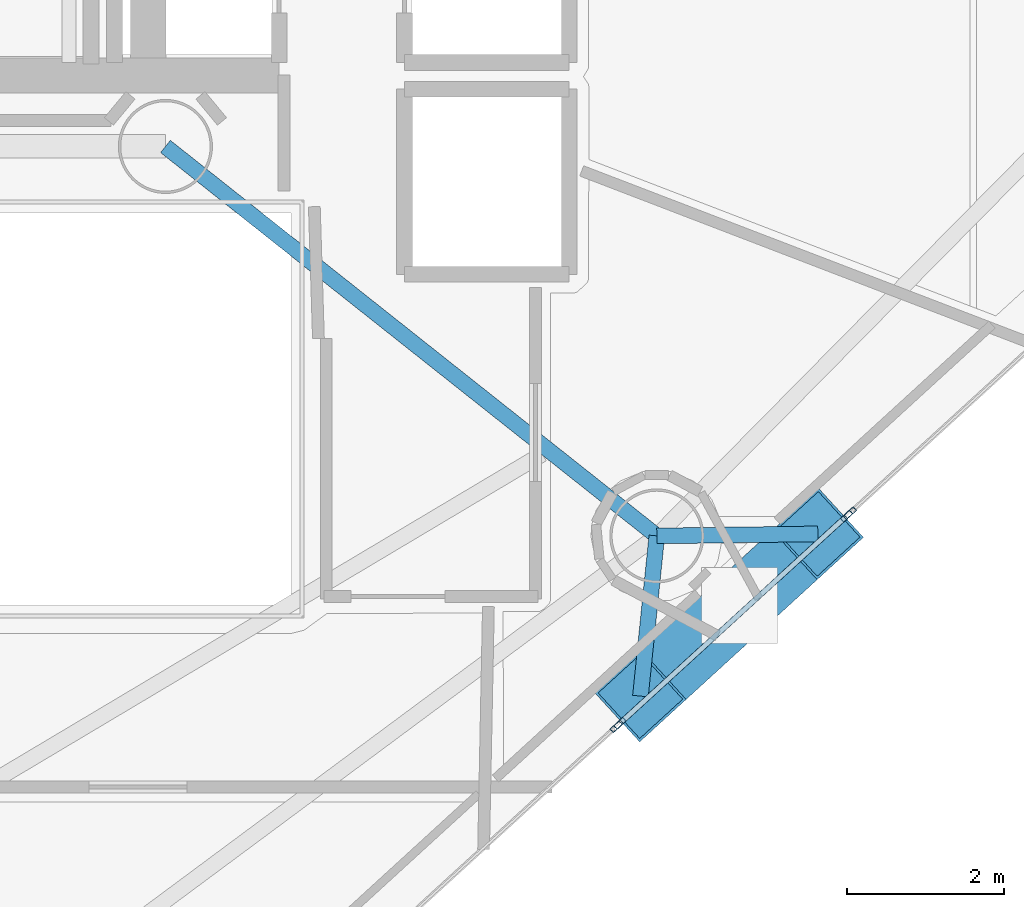
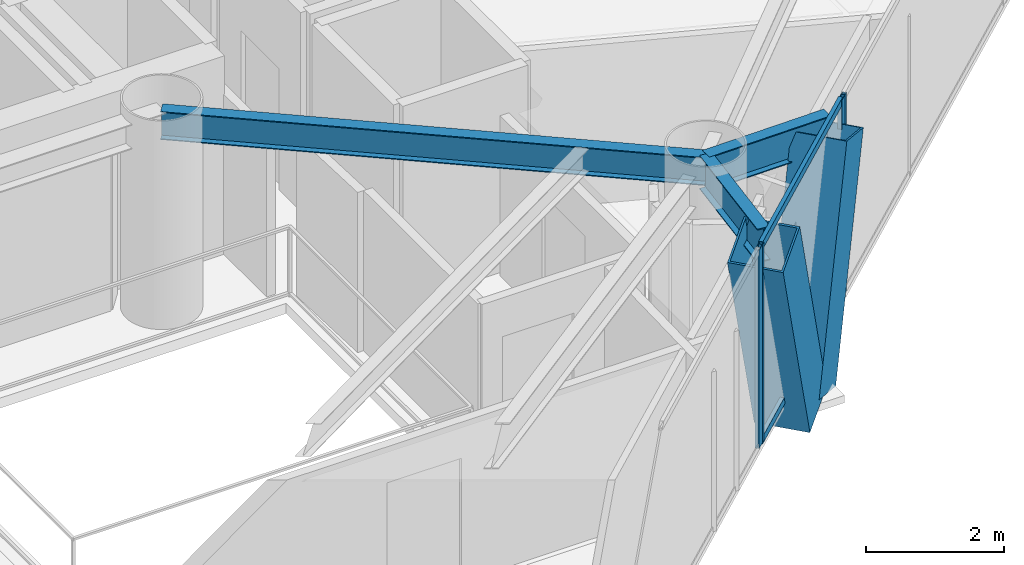
# One storey, part 6 of 24: 8 members, 3 beams, 3 elements without a shape of their own.
"""IFC4 building model written with IfcOpenShell, lengths in metres."""

import ifcopenshell
import ifcopenshell.guid

model = None  # the IFC model being written
_history = None  # IfcOwnerHistory: only IFC2X3 demands one
_inside = {}  # id of a spatial element -> (the spatial element, [elements in it])
_under = {}  # id of a project, library or spatial element -> (it, [spatial elements below it])
_declared = {}  # id of a project -> (the project, [libraries it declares])
_typed = {}  # id of a type object -> (the type object, [elements of that type])
_made_of = {}  # id of a material, layer set ... -> (it, [elements and type objects made of it])


def new_model(schema):
    """Start an empty IFC model of exactly this schema.

    Asked for "IFC4X3", IfcOpenShell would pick the latest addendum, in which some entities
    have other attributes; the version numbers below select the first issue.
    IFC2X3 requires an IfcOwnerHistory on every rooted entity: one is made here for all.
    """
    global model, _history
    if schema == "IFC4X3":
        model = ifcopenshell.file(schema_version=(4, 3, 0, 0))
    else:
        model = ifcopenshell.file(schema=schema)
    _inside.clear()
    _under.clear()
    _declared.clear()
    _typed.clear()
    _made_of.clear()
    _history = None
    if model.schema == "IFC2X3":
        org = make("IfcOrganization", Name="unknown")
        user = make(
            "IfcPersonAndOrganization",
            ThePerson=make("IfcPerson", FamilyName="unknown"),
            TheOrganization=org,
        )
        app = make(
            "IfcApplication",
            ApplicationDeveloper=org,
            Version="unknown",
            ApplicationFullName="unknown",
            ApplicationIdentifier="unknown",
        )
        _history = make(
            "IfcOwnerHistory",
            OwningUser=user,
            OwningApplication=app,
            ChangeAction="ADDED",
            CreationDate=0,
        )
    return model


def make(cls, **values):
    """One entity of the class cls with the attributes given. An attribute that is None is left unset."""
    return model.create_entity(
        cls, **{name: value for name, value in values.items() if value is not None}
    )


def rooted(cls, **values):
    """An entity with a GlobalId (a new one), such as an element, a storey or a relation."""
    return make(cls, GlobalId=ifcopenshell.guid.new(), OwnerHistory=_history, **values)


def si_unit(unit_type, name, prefix=None):
    """IfcSIUnit, for example si_unit("LENGTHUNIT", "METRE", prefix="MILLI")."""
    return make("IfcSIUnit", UnitType=unit_type, Prefix=prefix, Name=name)


def assignment(units):
    """IfcUnitAssignment: the units of a project."""
    return None if units is None else make("IfcUnitAssignment", Units=units)


def point(xyz):
    """IfcCartesianPoint."""
    return None if xyz is None else make("IfcCartesianPoint", Coordinates=xyz)


def direction(xyz):
    """IfcDirection."""
    return None if xyz is None else make("IfcDirection", DirectionRatios=xyz)


def frame(location, z_axis=None, x_axis=None):
    """IfcAxis2Placement3D, a coordinate frame: its origin and axes. An axis left out is left unset."""
    return make(
        "IfcAxis2Placement3D",
        Location=point(location),
        Axis=direction(z_axis),
        RefDirection=direction(x_axis),
    )


def frame_2d(location, x_axis=None):
    """IfcAxis2Placement2D, a coordinate frame in the plane: its origin and x axis."""
    return make(
        "IfcAxis2Placement2D", Location=point(location), RefDirection=direction(x_axis)
    )


def origin():
    """The frame at (0, 0, 0) with its axes left unset."""
    return frame((0.0, 0.0, 0.0))


def origin_2d():
    """The frame at (0, 0) in the plane with its x axis left unset."""
    return frame_2d((0.0, 0.0))


def place(relative_to, where):
    """IfcLocalPlacement: puts the frame where relative to a parent placement (None: the world)."""
    return make(
        "IfcLocalPlacement", PlacementRelTo=relative_to, RelativePlacement=where
    )


def context(
    kind, dimensions, precision=None, world=None, true_north=None, identifier=None
):
    """IfcGeometricRepresentationContext, for example the 3D "Model" context."""
    return make(
        "IfcGeometricRepresentationContext",
        ContextIdentifier=identifier,
        ContextType=kind,
        CoordinateSpaceDimension=dimensions,
        Precision=precision,
        WorldCoordinateSystem=world,
        TrueNorth=true_north,
    )


def subcontext(parent, identifier, kind, view, scale=None):
    """IfcGeometricRepresentationSubContext, for example "Body" below "Model"."""
    return make(
        "IfcGeometricRepresentationSubContext",
        ContextIdentifier=identifier,
        ContextType=kind,
        ParentContext=parent,
        TargetScale=scale,
        TargetView=view,
    )


def project(units=None, contexts=None):
    """IfcProject with its units and contexts."""
    return rooted(
        "IfcProject",
        Name="project",
        RepresentationContexts=contexts,
        UnitsInContext=assignment(units),
    )


def spatial(cls, under=None, at=None, **own):
    """A site, building, storey or space (cls), placed at a placement, below another one or the project."""
    s = rooted(cls, ObjectPlacement=at, **own)
    if under is not None:
        _under.setdefault(under.id(), (under, []))[1].append(s)
    return s


def profile(cls, at=None, kind="AREA", **sizes):
    """A parametric profile (cls). Its sizes go by their IFC names, for example OverallWidth=200.0."""
    return make(cls, ProfileType=kind, Position=at, **sizes)


def hollow_rectangle(**sizes):
    """IfcRectangleHollowProfileDef."""
    return profile("IfcRectangleHollowProfileDef", **sizes)


def i_section(**sizes):
    """IfcIShapeProfileDef."""
    return profile("IfcIShapeProfileDef", **sizes)


def extrude(swept, where, along, depth):
    """IfcExtrudedAreaSolid: the profile swept, set in the frame where, extruded along a direction by depth."""
    return make(
        "IfcExtrudedAreaSolid",
        SweptArea=swept,
        Position=where,
        ExtrudedDirection=direction(along),
        Depth=depth,
    )


def shape(context_of_items, identifier, shape_type, items):
    """IfcShapeRepresentation: the items that make up one representation, for example the "Body"."""
    return make(
        "IfcShapeRepresentation",
        ContextOfItems=context_of_items,
        RepresentationIdentifier=identifier,
        RepresentationType=shape_type,
        Items=items,
    )


def material(Name=None, Category=None):
    """IfcMaterial."""
    return make("IfcMaterial", Name=Name, Category=Category)


def layer(
    of_material, thickness, ventilated=None, Name=None, Category=None, Priority=None
):
    """IfcMaterialLayer: one layer of a wall or slab, of a material (None: an air gap)."""
    return make(
        "IfcMaterialLayer",
        Material=of_material,
        LayerThickness=thickness,
        IsVentilated=ventilated,
        Name=Name,
        Category=Category,
        Priority=Priority,
    )


def layer_set(layers, Name=None):
    """IfcMaterialLayerSet."""
    return make("IfcMaterialLayerSet", MaterialLayers=layers, LayerSetName=Name)


def material_profile(
    of_material, cross_section, Name=None, Category=None, Priority=None
):
    """IfcMaterialProfile: a cross section and its material."""
    return make(
        "IfcMaterialProfile",
        Name=Name,
        Material=of_material,
        Profile=cross_section,
        Priority=Priority,
        Category=Category,
    )


def profile_set(profiles, Name=None, composite=None):
    """IfcMaterialProfileSet."""
    return make(
        "IfcMaterialProfileSet",
        Name=Name,
        MaterialProfiles=profiles,
        CompositeProfile=composite,
    )


def made_of(thing, what):
    """Note that an element or type object is made of a material, layer set ...; save() writes the relation."""
    if what is not None:
        _made_of.setdefault(what.id(), (what, []))[1].append(thing)
    return thing


def type_object(cls, material=None, **own):
    """A type object (cls), such as IfcWallType, which elements share."""
    return made_of(rooted(cls, **own), material)


def element(
    cls,
    number,
    at=None,
    inside=None,
    cuts=None,
    type_object=None,
    material=None,
    context=None,
    identifier="Body",
    shape_type=None,
    held_by="IfcProductDefinitionShape",
    body=None,
    shapes=None,
    **own,
):
    """One element of the class cls, such as IfcWall. Its Tag is "e" and its number.

    at: its placement. inside: the storey or other place that contains it. cuts: it is an
    opening in that element (IfcRelVoidsElement). A single representation is given by context,
    identifier, shape_type and body (its items); several are given by shapes. held_by: the class
    of the entity that holds the representations. save() writes the other relations.
    """
    e = rooted(cls, Tag="e%d" % number, ObjectPlacement=at, **own)
    if body is not None:
        shapes = [shape(context, identifier, shape_type, body)]
    if shapes is not None:
        e.Representation = make(held_by, Representations=shapes)
    if inside is not None:
        _inside.setdefault(inside.id(), (inside, []))[1].append(e)
    if cuts is not None:
        rooted(
            "IfcRelVoidsElement", RelatingBuildingElement=cuts, RelatedOpeningElement=e
        )
    if type_object is not None:
        _typed.setdefault(type_object.id(), (type_object, []))[1].append(e)
    return made_of(e, material)


def aggregate(whole, parts):
    """IfcRelAggregates: a whole, such as a stair, and the parts it consists of."""
    return rooted("IfcRelAggregates", RelatingObject=whole, RelatedObjects=parts)


def save(model, path):
    """Write the relations noted so far, then the file.

    IfcRelAggregates (storeys below a building ...), IfcRelContainedInSpatialStructure (elements
    in a storey), IfcRelDefinesByType, IfcRelAssociatesMaterial and IfcRelDeclares: one each for
    every whole, place, type object, material and project.
    """
    for whole, parts in _under.values():
        aggregate(whole, parts)
    for where, things in _inside.values():
        rooted(
            "IfcRelContainedInSpatialStructure",
            RelatedElements=things,
            RelatingStructure=where,
        )
    for kind, things in _typed.values():
        rooted("IfcRelDefinesByType", RelatedObjects=things, RelatingType=kind)
    for what, things in _made_of.values():
        rooted("IfcRelAssociatesMaterial", RelatedObjects=things, RelatingMaterial=what)
    for by, libraries in _declared.values():
        rooted("IfcRelDeclares", RelatingContext=by, RelatedDefinitions=libraries)
    model.write(path)


model = new_model("IFC4")

# Units and contexts
model_context = context("Model", 3, precision=1e-05, world=origin(), true_north=direction((0.0, 1.0)))
body_context = subcontext(model_context, "Body", "Model", "MODEL_VIEW")
ifc_project = project(units=[si_unit("LENGTHUNIT", "METRE"), si_unit("AREAUNIT", "SQUARE_METRE"), si_unit("VOLUMEUNIT", "CUBIC_METRE"), si_unit("PLANEANGLEUNIT", "RADIAN"), si_unit("MASSUNIT", "GRAM", prefix="KILO")], contexts=[model_context])

# Site, building, storey
site_placement = place(None, origin())
site = spatial("IfcSite", under=ifc_project, at=site_placement, CompositionType="ELEMENT")
building_placement = place(site_placement, origin())
building = spatial("IfcBuilding", under=site, at=building_placement, Name="Qianvela Tower", CompositionType="ELEMENT")
storey_placement = place(building_placement, frame((0.0, 0.0, 222.5)))
storey = spatial("IfcBuildingStorey", under=building, at=storey_placement, Name="L57", CompositionType="ELEMENT", Elevation=222.5)

# Beams
ifc_material_1 = material(Name="Steel Q355B", Category="steel")
ifc_material_profile_1 = material_profile(ifc_material_1, i_section(OverallWidth=0.199951171875, OverallDepth=0.5, WebThickness=0.010009765625, FlangeThickness=0.01611328125, at=origin_2d()), Name="HN500x200x10x16")
ifc_profile_set_1 = profile_set([ifc_material_profile_1], Name="Steel Q355B")
beam_type_1 = type_object("IfcBeamType", Name="BM-HN500-GIRD", PredefinedType="BEAM", material=ifc_profile_set_1)
beam_placement = place(storey_placement, frame((38.39990234375, 23.85009765625, 3.26806640625), z_axis=(0.783705217119, -0.621132942824, 0.0), x_axis=(0.621132942824, 0.783705217119, 0.0)))
element("IfcBeam", 1, at=beam_placement, inside=storey, type_object=beam_type_1, Name="L57 Radial Primary Floor Girder 6", PredefinedType="BEAM", context=body_context, shape_type="SweptSolid", body=[
    extrude(i_section(OverallWidth=0.199951171875, OverallDepth=0.5, WebThickness=0.010009765625, FlangeThickness=0.01611328125, at=origin_2d()), origin(), (0.0, 0.0, 1.0), 7.996826171875),
])
ifc_material_2 = material(Name="Steel Q355B", Category="steel")
ifc_material_profile_2 = material_profile(ifc_material_2, i_section(OverallWidth=0.199951171875, OverallDepth=0.60009765625, WebThickness=0.010986328125, FlangeThickness=0.01708984375, at=origin_2d()), Name="HN600x200x11x17")
ifc_profile_set_2 = profile_set([ifc_material_profile_2], Name="Steel Q355B")
beam_type_2 = type_object("IfcBeamType", Name="BM-HN600-GIRD", PredefinedType="BEAM", material=ifc_profile_set_2)
for number, where, z_axis, x_axis, name in (
    (2, (44.6669921875, 18.883056640625, 3.218017578125), (-0.101775443135, -0.99480739803, 0.0), (0.99480739803, -0.101775443135, 0.0), "L57 Mega-Brace Column Tie Bracket F3-1"),
    (3, (44.6669921875, 18.883056640625, 3.218017578125), (0.999923546938, 0.012365285242, 0.0), (-0.012365285242, 0.999923546938, 0.0), "L57 Mega-Brace Column Tie Bracket F3-2"),
):
    element("IfcBeam", number, at=place(storey_placement, frame(where, z_axis=z_axis, x_axis=x_axis)), inside=storey, type_object=beam_type_2, Name=name, PredefinedType="BEAM", context=body_context, shape_type="SweptSolid", body=[
        extrude(i_section(OverallWidth=0.199951171875, OverallDepth=0.60009765625, WebThickness=0.010986328125, FlangeThickness=0.01708984375, at=origin_2d()), origin(), (0.0, 0.0, 1.0), 2.053466796875),
    ])

# Curtain wall, members
ifc_material_3 = material(Name="Anodised Architectural Aluminium and Insulated Spandrel Panel", Category="aluminium")
ifc_layer_1 = layer(ifc_material_3, 0.179931640625)
ifc_layer_set_1 = layer_set([ifc_layer_1], Name="Anodised Architectural Aluminium and Insulated Spandrel Panel")
curtain_wall_type_1 = type_object("IfcCurtainWallType", Name="CW-BRACEBAY", PredefinedType="USERDEFINED", material=ifc_layer_set_1)
curtain_wall_1_placement = place(storey_placement, origin())
curtain_wall_1 = element("IfcCurtainWall", 4, at=curtain_wall_1_placement, inside=storey, type_object=curtain_wall_type_1, Name="L57 CW-BRACEBAY Curtain Wall 06B", ObjectType="CURTAIN_WALL_SYSTEM", PredefinedType="USERDEFINED")
ifc_material_4 = material(Name="Anodised Architectural Aluminium 6063-T6", Category="aluminium")
ifc_material_profile_3 = material_profile(ifc_material_4, hollow_rectangle(XDim=0.06494140625, YDim=0.159912109375, WallThickness=0.0048828125, at=origin_2d()), Name="ALU-MULL-65x160")
ifc_profile_set_3 = profile_set([ifc_material_profile_3], Name="Anodised Architectural Aluminium 6063-T6")
member_type_1 = type_object("IfcMemberType", Name="CW-BRACEBAY-MULL", PredefinedType="MULLION", material=ifc_profile_set_3)
member_1_placement = place(storey_placement, frame((44.19677734375, 16.4931640625, 0.0), z_axis=(0.0, 0.0, 1.0), x_axis=(-0.674739873132, 0.738055623653, 0.0)))
member_1 = element("IfcMember", 5, at=member_1_placement, type_object=member_type_1, Name="CW-9 mullion 1", PredefinedType="MULLION", context=body_context, shape_type="SweptSolid", body=[
    extrude(hollow_rectangle(XDim=0.06494140625, YDim=0.159912109375, WallThickness=0.0048828125, at=origin_2d()), origin(), (0.0, 0.0, 1.0), 3.52001953125),
])
member_2_placement = place(storey_placement, frame((47.08642578125, 19.134765625, 0.0), z_axis=(0.0, 0.0, 1.0), x_axis=(-0.674739873132, 0.738055623653, 0.0)))
member_2 = element("IfcMember", 6, at=member_2_placement, type_object=member_type_1, Name="CW-9 mullion 2", PredefinedType="MULLION", context=body_context, shape_type="SweptSolid", body=[
    extrude(hollow_rectangle(XDim=0.06494140625, YDim=0.159912109375, WallThickness=0.0048828125, at=origin_2d()), origin(), (0.0, 0.0, 1.0), 3.52001953125),
])
ifc_material_5 = material(Name="Anodised Architectural Aluminium 6063-T6", Category="aluminium")
ifc_material_profile_4 = material_profile(ifc_material_5, hollow_rectangle(XDim=0.06494140625, YDim=0.1298828125, WallThickness=0.00439453125, at=origin_2d()), Name="ALU-TRAN-65x130")
ifc_profile_set_4 = profile_set([ifc_material_profile_4], Name="Anodised Architectural Aluminium 6063-T6")
member_type_2 = type_object("IfcMemberType", Name="CW-BRACEBAY-TRAN", PredefinedType="USERDEFINED", material=ifc_profile_set_4)
member_3_placement = place(storey_placement, frame((44.220703125, 16.51513671875, 0.032470703125), z_axis=(0.738072120154, 0.674721828201, 0.0), x_axis=(-0.674721828201, 0.738072120154, 0.0)))
member_3 = element("IfcMember", 7, at=member_3_placement, type_object=member_type_2, Name="CW-9 transom 1.1", ObjectType="TRANSOM", PredefinedType="USERDEFINED", context=body_context, shape_type="SweptSolid", body=[
    extrude(hollow_rectangle(XDim=0.06494140625, YDim=0.1298828125, WallThickness=0.00439453125, at=origin_2d()), origin(), (0.0, 0.0, 1.0), 3.849853515625),
])
member_4_placement = place(storey_placement, frame((44.220703125, 16.51513671875, 3.487548828125), z_axis=(0.738072120154, 0.674721828201, 0.0), x_axis=(-0.674721828201, 0.738072120154, 0.0)))
member_4 = element("IfcMember", 8, at=member_4_placement, type_object=member_type_2, Name="CW-9 transom 1.2", ObjectType="TRANSOM", PredefinedType="USERDEFINED", context=body_context, shape_type="SweptSolid", body=[
    extrude(hollow_rectangle(XDim=0.06494140625, YDim=0.1298828125, WallThickness=0.00439453125, at=origin_2d()), origin(), (0.0, 0.0, 1.0), 3.849853515625),
])
aggregate(curtain_wall_1, [member_1, member_2, member_3, member_4])

# Curtain wall, member
ifc_material_6 = material(Name="Anodised Architectural Aluminium and Low-E Glass", Category="aluminium")
ifc_layer_2 = layer(ifc_material_6, 0.159912109375)
ifc_layer_set_2 = layer_set([ifc_layer_2], Name="Anodised Architectural Aluminium and Low-E Glass")
curtain_wall_type_2 = type_object("IfcCurtainWallType", Name="CW-COLIV-Z56", PredefinedType="USERDEFINED", material=ifc_layer_set_2)
curtain_wall_2_placement = place(storey_placement, origin())
curtain_wall_2 = element("IfcCurtainWall", 9, at=curtain_wall_2_placement, inside=storey, type_object=curtain_wall_type_2, Name="L57 CW-COLIV-Z56 Curtain Wall 06A", ObjectType="CURTAIN_WALL_SYSTEM", PredefinedType="USERDEFINED")
ifc_material_7 = material(Name="Anodised Architectural Aluminium 6063-T6", Category="aluminium")
ifc_material_profile_5 = material_profile(ifc_material_7, hollow_rectangle(XDim=0.06494140625, YDim=0.159912109375, WallThickness=0.0048828125, at=origin_2d()), Name="ALU-MULL-65x160")
ifc_profile_set_5 = profile_set([ifc_material_profile_5], Name="Anodised Architectural Aluminium 6063-T6")
member_type_3 = type_object("IfcMemberType", Name="CW-COLIV-Z56-MULL", PredefinedType="MULLION", material=ifc_profile_set_5)
member_5_placement = place(storey_placement, frame((44.14892578125, 16.44921875, 0.0), z_axis=(0.0, 0.0, 1.0), x_axis=(-0.674728184721, 0.738066309178, 0.0)))
member_5 = element("IfcMember", 10, at=member_5_placement, type_object=member_type_3, Name="CW-5 mullion 3", PredefinedType="MULLION", context=body_context, shape_type="SweptSolid", body=[
    extrude(hollow_rectangle(XDim=0.06494140625, YDim=0.159912109375, WallThickness=0.0048828125, at=origin_2d()), origin(), (0.0, 0.0, 1.0), 3.52001953125),
])
aggregate(curtain_wall_2, [member_5])

curtain_wall_3_placement = place(storey_placement, origin())
curtain_wall_3 = element("IfcCurtainWall", 11, at=curtain_wall_3_placement, inside=storey, type_object=curtain_wall_type_2, Name="L57 CW-COLIV-Z56 Curtain Wall 06C", ObjectType="CURTAIN_WALL_SYSTEM", PredefinedType="USERDEFINED")
member_6_placement = place(storey_placement, frame((47.13427734375, 19.1787109375, 0.0), z_axis=(0.0, 0.0, 1.0), x_axis=(-0.674728646967, 0.738065886599, 0.0)))
member_6 = element("IfcMember", 12, at=member_6_placement, type_object=member_type_3, Name="CW-5 mullion 1", PredefinedType="MULLION", context=body_context, shape_type="SweptSolid", body=[
    extrude(hollow_rectangle(XDim=0.06494140625, YDim=0.159912109375, WallThickness=0.0048828125, at=origin_2d()), origin(), (0.0, 0.0, 1.0), 3.52001953125),
])
aggregate(curtain_wall_3, [member_6])

# Members
ifc_material_8 = material(Name="Steel Q420GJC", Category="steel")
ifc_material_profile_6 = material_profile(ifc_material_8, hollow_rectangle(XDim=0.85009765625, YDim=0.85009765625, WallThickness=0.031982421875, at=origin_2d()), Name="MBOX-850x850x32")
ifc_profile_set_6 = profile_set([ifc_material_profile_6], Name="Steel Q420GJC")
member_type_4 = type_object("IfcMemberType", Name="MBR-MBRACE-850", PredefinedType="BRACE", material=ifc_profile_set_6)
member_7_placement = place(storey_placement, frame((45.4091796875, 17.7099609375, -0.48193359375), z_axis=(-0.242770562713, -0.221958096608, 0.944350071335), x_axis=(0.674763303406, -0.738034202715, 0.0)))
element("IfcMember", 13, at=member_7_placement, inside=storey, type_object=member_type_4, Name="L57 Tier 9 Exterior Mega-Brace F3A", PredefinedType="BRACE", context=body_context, shape_type="SweptSolid", body=[
    extrude(hollow_rectangle(XDim=0.85009765625, YDim=0.85009765625, WallThickness=0.031982421875, at=origin_2d()), origin(), (0.0, 0.0, 1.0), 3.91796875),
])
member_8_placement = place(storey_placement, frame((45.73388671875, 18.006591796875, -0.48193359375), z_axis=(0.250723193167, 0.229250365238, 0.940522275359), x_axis=(-0.674797627629, 0.738002819606, 0.0)))
element("IfcMember", 14, at=member_8_placement, inside=storey, type_object=member_type_4, Name="L57 Tier 9 Exterior Mega-Brace F3B", PredefinedType="BRACE", context=body_context, shape_type="SweptSolid", body=[
    extrude(hollow_rectangle(XDim=0.85009765625, YDim=0.85009765625, WallThickness=0.031982421875, at=origin_2d()), origin(), (0.0, 0.0, 1.0), 3.933837890625),
])

save(model, "model.ifc")
